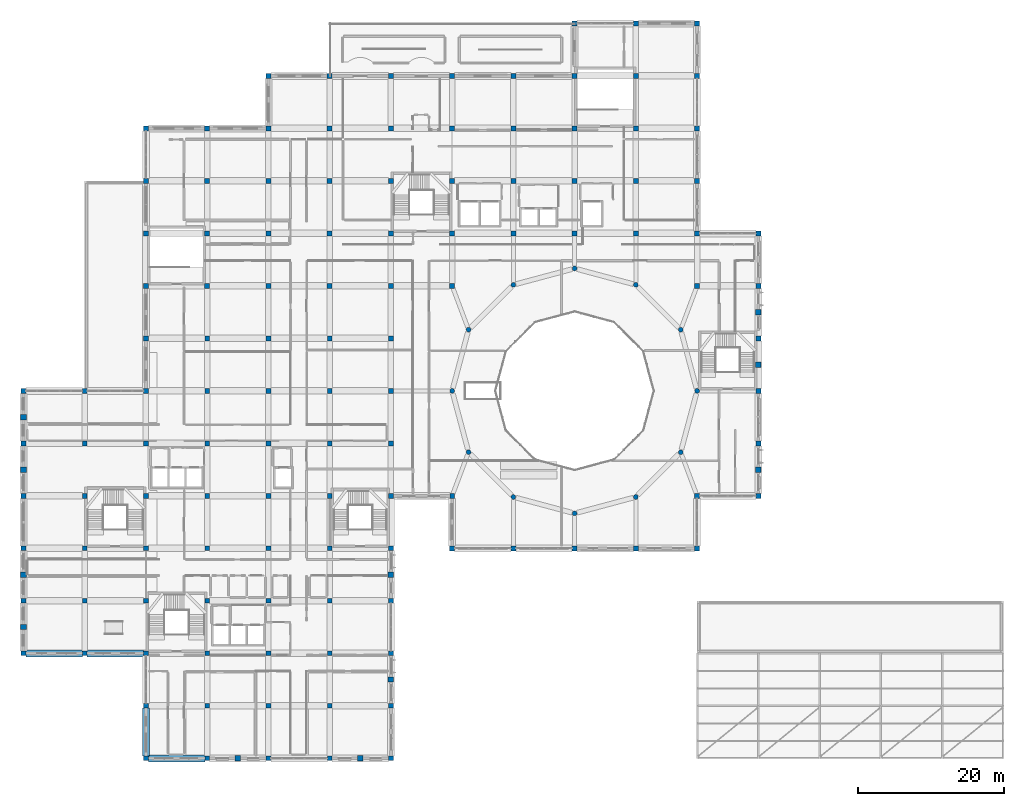
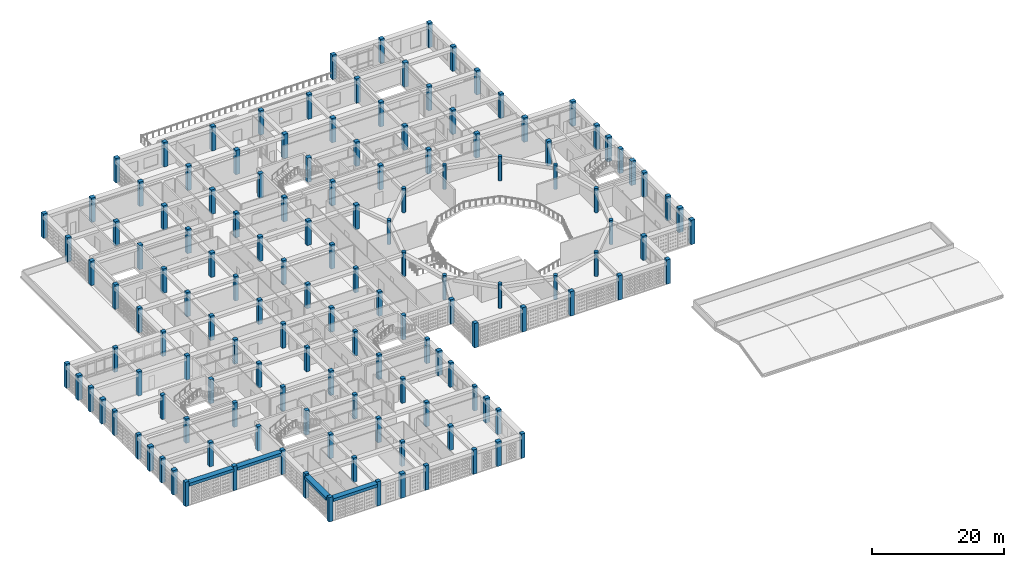
# One storey, part 1 of 79: 141 columns, 4 beams.
"""IFC4 building model written with IfcOpenShell, lengths in metres."""

from ifc_helpers import new_model, si_unit, derived_unit, direction, frame, origin, origin_2d, place, context, subcontext, project, spatial, rectangle, circle, extrude, material, material_profile, profile_set, type_object, element, save


model = new_model("IFC4")

# Units and contexts
model_context = context("Model", 3, precision=1e-05, world=origin(), true_north=direction((0.0, 1.0)))
body_context = subcontext(model_context, "Body", "Model", "MODEL_VIEW")
ifc_project = project(units=[si_unit("LENGTHUNIT", "METRE"), si_unit("AREAUNIT", "SQUARE_METRE"), si_unit("VOLUMEUNIT", "CUBIC_METRE"), si_unit("PLANEANGLEUNIT", "RADIAN"), si_unit("MASSUNIT", "GRAM", prefix="KILO"), derived_unit("THERMALTRANSMITTANCEUNIT", [(si_unit("POWERUNIT", "WATT"), 1), (si_unit("LENGTHUNIT", "METRE"), -2), (si_unit("THERMODYNAMICTEMPERATUREUNIT", "KELVIN"), -1)])], contexts=[model_context])

# Site, building, storey
site_placement = place(None, origin())
site = spatial("IfcSite", under=ifc_project, at=site_placement, CompositionType="ELEMENT")
building_placement = place(site_placement, origin())
building = spatial("IfcBuilding", under=site, at=building_placement, Name="Veybourne Emporium", CompositionType="ELEMENT")
storey_placement = place(building_placement, frame((0.0, 0.0, 18.89990234375)))
storey = spatial("IfcBuildingStorey", under=building, at=storey_placement, Name="L04", CompositionType="ELEMENT", Elevation=18.89990234375)

# Columns
ifc_material_1 = material(Name="Concrete C40/50", Category="concrete")
ifc_material_profile_1 = material_profile(ifc_material_1, rectangle(XDim=0.699951171875, YDim=0.699951171875, at=origin_2d()), Name="RC 700x700")
ifc_profile_set_1 = profile_set([ifc_material_profile_1], Name="Concrete C40/50")
column_type_1 = type_object("IfcColumnType", Name="Col_C-04", PredefinedType="COLUMN", material=ifc_profile_set_1)
for number, where, z_axis, x_axis, name in (
    (1, (16.800048828125, 64.800048828125, 0.0), (0.0, 0.0, 1.0), (1.0, 0.0, 0.0), "Column C-04 L04 (2,9)"),
    (2, (16.800048828125, 72.0, 0.0), (0.0, 0.0, 1.0), (1.0, 0.0, 0.0), "Column C-04 L04 (2,10)"),
    (3, (16.800048828125, 79.199951171875, 0.0), (0.0, 0.0, 1.0), (1.0, 0.0, 0.0), "Column C-04 L04 (2,11)"),
    (4, (16.800048828125, 86.39990234375, 0.0), (0.0, 0.0, 1.0), (1.0, 0.0, 0.0), "Column C-04 L04 (2,12)"),
    (5, (25.199951171875, 64.800048828125, 0.0), (0.0, 0.0, 1.0), (1.0, 0.0, 0.0), "Column C-04 L04 (3,9)"),
    (6, (25.199951171875, 72.0, 0.0), (0.0, 0.0, 1.0), (1.0, 0.0, 0.0), "Column C-04 L04 (3,10)"),
    (7, (25.199951171875, 79.199951171875, 0.0), (0.0, 0.0, 1.0), (1.0, 0.0, 0.0), "Column C-04 L04 (3,11)"),
    (8, (25.199951171875, 86.39990234375, 0.0), (0.0, 0.0, 1.0), (1.0, 0.0, 0.0), "Column C-04 L04 (3,12)"),
    (9, (33.60009765625, 64.800048828125, 0.0), (0.0, 0.0, 1.0), (1.0, 0.0, 0.0), "Column C-04 L04 (4,9)"),
    (10, (33.60009765625, 72.0, 0.0), (0.0, 0.0, 1.0), (1.0, 0.0, 0.0), "Column C-04 L04 (4,10)"),
    (11, (33.60009765625, 79.199951171875, 0.0), (0.0, 0.0, 1.0), (1.0, 0.0, 0.0), "Column C-04 L04 (4,11)"),
    (12, (33.60009765625, 86.39990234375, 0.0), (0.0, 0.0, 1.0), (1.0, 0.0, 0.0), "Column C-04 L04 (4,12)"),
    (13, (33.60009765625, 93.60009765625, 0.0), (0.0, 0.0, 1.0), (1.0, 0.0, 0.0), "Column C-04 L04 (4,13)"),
    (14, (42.0, 64.800048828125, 0.0), (0.0, 0.0, 1.0), (1.0, 0.0, 0.0), "Column C-04 L04 (5,9)"),
    (15, (42.0, 72.0, 0.0), (0.0, 0.0, 1.0), (1.0, 0.0, 0.0), "Column C-04 L04 (5,10)"),
    (16, (42.0, 79.199951171875, 0.0), (0.0, 0.0, 1.0), (1.0, 0.0, 0.0), "Column C-04 L04 (5,11)"),
    (17, (42.0, 86.39990234375, 0.0), (0.0, 0.0, 1.0), (1.0, 0.0, 0.0), "Column C-04 L04 (5,12)"),
    (18, (42.0, 93.60009765625, 0.0), (0.0, 0.0, 1.0), (1.0, 0.0, 0.0), "Column C-04 L04 (5,13)"),
    (19, (50.39990234375, 64.800048828125, 0.0), (0.0, 0.0, 1.0), (1.0, 0.0, 0.0), "Column C-04 L04 (6,9)"),
    (20, (50.39990234375, 72.0, 0.0), (0.0, 0.0, 1.0), (1.0, 0.0, 0.0), "Column C-04 L04 (6,10)"),
    (21, (50.39990234375, 79.199951171875, 0.0), (0.0, 0.0, 1.0), (1.0, 0.0, 0.0), "Column C-04 L04 (6,11)"),
    (22, (50.39990234375, 86.39990234375, 0.0), (0.0, 0.0, 1.0), (1.0, 0.0, 0.0), "Column C-04 L04 (6,12)"),
    (23, (50.39990234375, 93.60009765625, 0.0), (0.0, 0.0, 1.0), (1.0, 0.0, 0.0), "Column C-04 L04 (6,13)"),
    (24, (58.800048828125, 28.800048828125, 0.0), (0.0, 0.0, 1.0), (1.0, 0.0, 0.0), "Column C-04 L04 (7,4)"),
    (25, (58.800048828125, 64.800048828125, 0.0), (0.0, 0.0, 1.0), (1.0, 0.0, 0.0), "Column C-04 L04 (7,9)"),
    (26, (58.800048828125, 72.0, 0.0), (0.0, 0.0, 1.0), (1.0, 0.0, 0.0), "Column C-04 L04 (7,10)"),
    (27, (58.800048828125, 79.199951171875, 0.0), (0.0, 0.0, 1.0), (1.0, 0.0, 0.0), "Column C-04 L04 (7,11)"),
    (28, (58.800048828125, 86.39990234375, 0.0), (0.0, 0.0, 1.0), (1.0, 0.0, 0.0), "Column C-04 L04 (7,12)"),
    (29, (58.800048828125, 93.60009765625, 0.0), (0.0, 0.0, 1.0), (1.0, 0.0, 0.0), "Column C-04 L04 (7,13)"),
    (30, (67.199951171875, 28.800048828125, 0.0), (0.0, 0.0, 1.0), (1.0, 0.0, 0.0), "Column C-04 L04 (8,4)"),
    (31, (67.199951171875, 72.0, 0.0), (0.0, 0.0, 1.0), (1.0, 0.0, 0.0), "Column C-04 L04 (8,10)"),
    (32, (67.199951171875, 79.199951171875, 0.0), (0.0, 0.0, 1.0), (1.0, 0.0, 0.0), "Column C-04 L04 (8,11)"),
    (33, (67.199951171875, 86.39990234375, 0.0), (0.0, 0.0, 1.0), (1.0, 0.0, 0.0), "Column C-04 L04 (8,12)"),
    (34, (67.199951171875, 93.60009765625, 0.0), (0.0, 0.0, 1.0), (1.0, 0.0, 0.0), "Column C-04 L04 (8,13)"),
    (35, (75.60009765625, 28.800048828125, 0.0), (0.0, 0.0, 1.0), (1.0, 0.0, 0.0), "Column C-04 L04 (9,4)"),
    (36, (75.60009765625, 72.0, 0.0), (0.0, 0.0, 1.0), (1.0, 0.0, 0.0), "Column C-04 L04 (9,10)"),
    (37, (75.60009765625, 79.199951171875, 0.0), (0.0, 0.0, 1.0), (1.0, 0.0, 0.0), "Column C-04 L04 (9,11)"),
    (38, (75.60009765625, 86.39990234375, 0.0), (0.0, 0.0, 1.0), (1.0, 0.0, 0.0), "Column C-04 L04 (9,12)"),
    (39, (75.60009765625, 93.60009765625, 0.0), (0.0, 0.0, 1.0), (1.0, 0.0, 0.0), "Column C-04 L04 (9,13)"),
    (40, (75.60009765625, 100.800048828125, 0.0), (0.0, 0.0, 1.0), (1.0, 0.0, 0.0), "Column C-04 L04 (9,14)"),
    (41, (84.0, 28.800048828125, 0.0), (0.0, 0.0, 1.0), (1.0, 0.0, 0.0), "Column C-04 L04 (10,4)"),
    (42, (84.0, 72.0, 0.0), (0.0, 0.0, 1.0), (1.0, 0.0, 0.0), "Column C-04 L04 (10,10)"),
    (43, (84.0, 79.199951171875, 0.0), (0.0, 0.0, 1.0), (1.0, 0.0, 0.0), "Column C-04 L04 (10,11)"),
    (44, (84.0, 86.39990234375, 0.0), (0.0, 0.0, 1.0), (1.0, 0.0, 0.0), "Column C-04 L04 (10,12)"),
    (45, (84.0, 93.60009765625, 0.0), (0.0, 0.0, 1.0), (1.0, 0.0, 0.0), "Column C-04 L04 (10,13)"),
    (46, (84.0, 100.800048828125, 0.0), (0.0, 0.0, 1.0), (1.0, 0.0, 0.0), "Column C-04 L04 (10,14)"),
    (47, (92.39990234375, 28.800048828125, 0.0), (0.0, 0.0, 1.0), (1.0, 0.0, 0.0), "Column C-04 L04 (11,4)"),
    (48, (92.39990234375, 36.0, 0.0), (0.0, 0.0, 1.0), (1.0, 0.0, 0.0), "Column C-04 L04 (11,5)"),
    (49, (92.39990234375, 64.800048828125, 0.0), (0.0, 0.0, 1.0), (1.0, 0.0, 0.0), "Column C-04 L04 (11,9)"),
    (50, (92.39990234375, 72.0, 0.0), (0.0, 0.0, 1.0), (1.0, 0.0, 0.0), "Column C-04 L04 (11,10)"),
    (51, (92.39990234375, 79.199951171875, 0.0), (0.0, 0.0, 1.0), (1.0, 0.0, 0.0), "Column C-04 L04 (11,11)"),
    (52, (92.39990234375, 86.39990234375, 0.0), (0.0, 0.0, 1.0), (1.0, 0.0, 0.0), "Column C-04 L04 (11,12)"),
    (53, (92.39990234375, 93.60009765625, 0.0), (0.0, 0.0, 1.0), (1.0, 0.0, 0.0), "Column C-04 L04 (11,13)"),
    (54, (92.39990234375, 100.800048828125, 0.0), (0.0, 0.0, 1.0), (1.0, 0.0, 0.0), "Column C-04 L04 (11,14)"),
    (55, (100.800048828125, 36.0, 0.0), (0.0, 0.0, 1.0), (1.0, 0.0, 0.0), "Column C-04 L04 (12,5)"),
    (56, (100.800048828125, 43.199951171875, 0.0), (0.0, 0.0, 1.0), (1.0, 0.0, 0.0), "Column C-04 L04 (12,6)"),
    (57, (100.800048828125, 50.39990234375, 0.0), (0.0, 0.0, 1.0), (1.0, 0.0, 0.0), "Column C-04 L04 (12,7)"),
    (58, (100.800048828125, 57.60009765625, 0.0), (0.0, 0.0, 1.0), (1.0, 0.0, 0.0), "Column C-04 L04 (12,8)"),
    (59, (100.800048828125, 64.800048828125, 0.0), (0.0, 0.0, 1.0), (1.0, 0.0, 0.0), "Column C-04 L04 (12,9)"),
    (60, (100.800048828125, 72.0, 0.0), (0.0, 0.0, 1.0), (1.0, 0.0, 0.0), "Column C-04 L04 (12,10)"),
):
    element("IfcColumn", number, at=place(storey_placement, frame(where, z_axis=z_axis, x_axis=x_axis)), inside=storey, type_object=column_type_1, Name=name, PredefinedType="COLUMN", context=body_context, shape_type="SweptSolid", body=[
        extrude(rectangle(XDim=0.699951171875, YDim=0.699951171875, at=origin_2d()), origin(), (0.0, 0.0, 1.0), 4.5),
    ])
ifc_material_profile_2 = material_profile(ifc_material_1, rectangle(XDim=0.64990234375, YDim=0.64990234375, at=origin_2d()), Name="RC 650x650")
ifc_profile_set_2 = profile_set([ifc_material_profile_2], Name="Concrete C40/50")
column_type_2 = type_object("IfcColumnType", Name="Col_C-05", PredefinedType="COLUMN", material=ifc_profile_set_2)
for number, where, z_axis, x_axis, name in (
    (61, (8.39990234375, 14.39990234375, 0.0), (0.0, 0.0, 1.0), (1.0, 0.0, 0.0), "Column C-05 L04 (1,2)"),
    (62, (8.39990234375, 21.60009765625, 0.0), (0.0, 0.0, 1.0), (1.0, 0.0, 0.0), "Column C-05 L04 (1,3)"),
    (63, (8.39990234375, 28.800048828125, 0.0), (0.0, 0.0, 1.0), (1.0, 0.0, 0.0), "Column C-05 L04 (1,4)"),
    (64, (8.39990234375, 36.0, 0.0), (0.0, 0.0, 1.0), (1.0, 0.0, 0.0), "Column C-05 L04 (1,5)"),
    (65, (8.39990234375, 43.199951171875, 0.0), (0.0, 0.0, 1.0), (1.0, 0.0, 0.0), "Column C-05 L04 (1,6)"),
    (66, (8.39990234375, 50.39990234375, 0.0), (0.0, 0.0, 1.0), (1.0, 0.0, 0.0), "Column C-05 L04 (1,7)"),
    (67, (16.800048828125, 7.199951171875, 0.0), (0.0, 0.0, 1.0), (1.0, 0.0, 0.0), "Column C-05 L04 (2,1)"),
    (68, (16.800048828125, 14.39990234375, 0.0), (0.0, 0.0, 1.0), (1.0, 0.0, 0.0), "Column C-05 L04 (2,2)"),
    (69, (16.800048828125, 21.60009765625, 0.0), (0.0, 0.0, 1.0), (1.0, 0.0, 0.0), "Column C-05 L04 (2,3)"),
    (70, (16.800048828125, 28.800048828125, 0.0), (0.0, 0.0, 1.0), (1.0, 0.0, 0.0), "Column C-05 L04 (2,4)"),
    (71, (16.800048828125, 36.0, 0.0), (0.0, 0.0, 1.0), (1.0, 0.0, 0.0), "Column C-05 L04 (2,5)"),
    (72, (16.800048828125, 43.199951171875, 0.0), (0.0, 0.0, 1.0), (1.0, 0.0, 0.0), "Column C-05 L04 (2,6)"),
    (73, (16.800048828125, 50.39990234375, 0.0), (0.0, 0.0, 1.0), (1.0, 0.0, 0.0), "Column C-05 L04 (2,7)"),
    (74, (16.800048828125, 57.60009765625, 0.0), (0.0, 0.0, 1.0), (1.0, 0.0, 0.0), "Column C-05 L04 (2,8)"),
    (75, (25.199951171875, 7.199951171875, 0.0), (0.0, 0.0, 1.0), (1.0, 0.0, 0.0), "Column C-05 L04 (3,1)"),
    (76, (25.199951171875, 14.39990234375, 0.0), (0.0, 0.0, 1.0), (1.0, 0.0, 0.0), "Column C-05 L04 (3,2)"),
    (77, (25.199951171875, 21.60009765625, 0.0), (0.0, 0.0, 1.0), (1.0, 0.0, 0.0), "Column C-05 L04 (3,3)"),
    (78, (25.199951171875, 28.800048828125, 0.0), (0.0, 0.0, 1.0), (1.0, 0.0, 0.0), "Column C-05 L04 (3,4)"),
    (79, (25.199951171875, 36.0, 0.0), (0.0, 0.0, 1.0), (1.0, 0.0, 0.0), "Column C-05 L04 (3,5)"),
    (80, (25.199951171875, 43.199951171875, 0.0), (0.0, 0.0, 1.0), (1.0, 0.0, 0.0), "Column C-05 L04 (3,6)"),
    (81, (25.199951171875, 50.39990234375, 0.0), (0.0, 0.0, 1.0), (1.0, 0.0, 0.0), "Column C-05 L04 (3,7)"),
    (82, (25.199951171875, 57.60009765625, 0.0), (0.0, 0.0, 1.0), (1.0, 0.0, 0.0), "Column C-05 L04 (3,8)"),
    (83, (33.60009765625, 7.199951171875, 0.0), (0.0, 0.0, 1.0), (1.0, 0.0, 0.0), "Column C-05 L04 (4,1)"),
    (84, (33.60009765625, 14.39990234375, 0.0), (0.0, 0.0, 1.0), (1.0, 0.0, 0.0), "Column C-05 L04 (4,2)"),
    (85, (33.60009765625, 21.60009765625, 0.0), (0.0, 0.0, 1.0), (1.0, 0.0, 0.0), "Column C-05 L04 (4,3)"),
    (86, (33.60009765625, 28.800048828125, 0.0), (0.0, 0.0, 1.0), (1.0, 0.0, 0.0), "Column C-05 L04 (4,4)"),
    (87, (33.60009765625, 36.0, 0.0), (0.0, 0.0, 1.0), (1.0, 0.0, 0.0), "Column C-05 L04 (4,5)"),
    (88, (33.60009765625, 43.199951171875, 0.0), (0.0, 0.0, 1.0), (1.0, 0.0, 0.0), "Column C-05 L04 (4,6)"),
    (89, (33.60009765625, 50.39990234375, 0.0), (0.0, 0.0, 1.0), (1.0, 0.0, 0.0), "Column C-05 L04 (4,7)"),
    (90, (33.60009765625, 57.60009765625, 0.0), (0.0, 0.0, 1.0), (1.0, 0.0, 0.0), "Column C-05 L04 (4,8)"),
    (91, (42.0, 7.199951171875, 0.0), (0.0, 0.0, 1.0), (1.0, 0.0, 0.0), "Column C-05 L04 (5,1)"),
    (92, (42.0, 14.39990234375, 0.0), (0.0, 0.0, 1.0), (1.0, 0.0, 0.0), "Column C-05 L04 (5,2)"),
    (93, (42.0, 21.60009765625, 0.0), (0.0, 0.0, 1.0), (1.0, 0.0, 0.0), "Column C-05 L04 (5,3)"),
    (94, (42.0, 28.800048828125, 0.0), (0.0, 0.0, 1.0), (1.0, 0.0, 0.0), "Column C-05 L04 (5,4)"),
    (95, (42.0, 36.0, 0.0), (0.0, 0.0, 1.0), (1.0, 0.0, 0.0), "Column C-05 L04 (5,5)"),
    (96, (42.0, 43.199951171875, 0.0), (0.0, 0.0, 1.0), (1.0, 0.0, 0.0), "Column C-05 L04 (5,6)"),
    (97, (42.0, 50.39990234375, 0.0), (0.0, 0.0, 1.0), (1.0, 0.0, 0.0), "Column C-05 L04 (5,7)"),
    (98, (42.0, 57.60009765625, 0.0), (0.0, 0.0, 1.0), (1.0, 0.0, 0.0), "Column C-05 L04 (5,8)"),
    (99, (50.39990234375, 7.199951171875, 0.0), (0.0, 0.0, 1.0), (1.0, 0.0, 0.0), "Column C-05 L04 (6,1)"),
    (100, (50.39990234375, 14.39990234375, 0.0), (0.0, 0.0, 1.0), (1.0, 0.0, 0.0), "Column C-05 L04 (6,2)"),
    (101, (50.39990234375, 21.60009765625, 0.0), (0.0, 0.0, 1.0), (1.0, 0.0, 0.0), "Column C-05 L04 (6,3)"),
    (102, (50.39990234375, 28.800048828125, 0.0), (0.0, 0.0, 1.0), (1.0, 0.0, 0.0), "Column C-05 L04 (6,4)"),
    (103, (50.39990234375, 36.0, 0.0), (0.0, 0.0, 1.0), (1.0, 0.0, 0.0), "Column C-05 L04 (6,5)"),
    (104, (50.39990234375, 43.199951171875, 0.0), (0.0, 0.0, 1.0), (1.0, 0.0, 0.0), "Column C-05 L04 (6,6)"),
    (105, (50.39990234375, 50.39990234375, 0.0), (0.0, 0.0, 1.0), (1.0, 0.0, 0.0), "Column C-05 L04 (6,7)"),
    (106, (50.39990234375, 57.60009765625, 0.0), (0.0, 0.0, 1.0), (1.0, 0.0, 0.0), "Column C-05 L04 (6,8)"),
    (107, (58.800048828125, 36.0, 0.0), (0.0, 0.0, 1.0), (1.0, 0.0, 0.0), "Column C-05 L04 (7,5)"),
):
    element("IfcColumn", number, at=place(storey_placement, frame(where, z_axis=z_axis, x_axis=x_axis)), inside=storey, type_object=column_type_2, Name=name, PredefinedType="COLUMN", context=body_context, shape_type="SweptSolid", body=[
        extrude(rectangle(XDim=0.64990234375, YDim=0.64990234375, at=origin_2d()), origin(), (0.0, 0.0, 1.0), 4.5),
    ])
ifc_material_profile_3 = material_profile(ifc_material_1, circle(Radius=0.324951171875, at=origin_2d()), Name="RC D650")
ifc_profile_set_3 = profile_set([ifc_material_profile_3], Name="Concrete C40/50")
column_type_3 = type_object("IfcColumnType", Name="Col_CD-03", PredefinedType="COLUMN", material=ifc_profile_set_3)
for number, where, z_axis, x_axis, name in (
    (108, (92.39990234375, 50.39990234375, 0.0), (0.0, 0.0, 1.0), (1.0, 0.0, 0.0), "Atrium drum column CD-03 L04-01"),
    (109, (90.149169921875, 58.800048828125, 0.0), (0.0, 0.0, 1.0), (1.0, 0.0, 0.0), "Atrium drum column CD-03 L04-02"),
    (110, (84.0, 64.94921875, 0.0), (0.0, 0.0, 1.0), (1.0, 0.0, 0.0), "Atrium drum column CD-03 L04-03"),
    (111, (75.60009765625, 67.199951171875, 0.0), (0.0, 0.0, 1.0), (1.0, 0.0, 0.0), "Atrium drum column CD-03 L04-04"),
    (112, (67.199951171875, 64.94921875, 0.0), (0.0, 0.0, 1.0), (1.0, 0.0, 0.0), "Atrium drum column CD-03 L04-05"),
    (113, (61.05078125, 58.800048828125, 0.0), (0.0, 0.0, 1.0), (1.0, 0.0, 0.0), "Atrium drum column CD-03 L04-06"),
    (114, (58.800048828125, 50.39990234375, 0.0), (0.0, 0.0, 1.0), (1.0, 0.0, 0.0), "Atrium drum column CD-03 L04-07"),
    (115, (61.05078125, 42.0, 0.0), (0.0, 0.0, 1.0), (1.0, 0.0, 0.0), "Atrium drum column CD-03 L04-08"),
    (116, (67.199951171875, 35.850830078125, 0.0), (0.0, 0.0, 1.0), (1.0, 0.0, 0.0), "Atrium drum column CD-03 L04-09"),
    (117, (75.60009765625, 33.60009765625, 0.0), (0.0, 0.0, 1.0), (1.0, 0.0, 0.0), "Atrium drum column CD-03 L04-10"),
    (118, (84.0, 35.850830078125, 0.0), (0.0, 0.0, 1.0), (1.0, 0.0, 0.0), "Atrium drum column CD-03 L04-11"),
    (119, (90.149169921875, 42.0, 0.0), (0.0, 0.0, 1.0), (1.0, 0.0, 0.0), "Atrium drum column CD-03 L04-12"),
):
    element("IfcColumn", number, at=place(storey_placement, frame(where, z_axis=z_axis, x_axis=x_axis)), inside=storey, type_object=column_type_3, Name=name, PredefinedType="COLUMN", context=body_context, shape_type="SweptSolid", body=[
        extrude(circle(Radius=0.324951171875, at=origin_2d()), origin(), (0.0, 0.0, 1.0), 4.5),
    ])
ifc_material_profile_4 = material_profile(ifc_material_1, rectangle(XDim=0.64990234375, YDim=0.64990234375, at=origin_2d()), Name="RC 650x650")
ifc_profile_set_4 = profile_set([ifc_material_profile_4], Name="Concrete C40/50")
column_type_4 = type_object("IfcColumnType", Name="Col_CE-05", PredefinedType="COLUMN", material=ifc_profile_set_4)
for number, where, z_axis, x_axis, name in (
    (120, (0.0, 14.39990234375, 0.0), (0.0, 0.0, 1.0), (1.0, 0.0, 0.0), "Column CE-05 L04 (0,2)"),
    (121, (0.0, 21.60009765625, 0.0), (0.0, 0.0, 1.0), (1.0, 0.0, 0.0), "Column CE-05 L04 (0,3)"),
    (122, (0.0, 28.800048828125, 0.0), (0.0, 0.0, 1.0), (1.0, 0.0, 0.0), "Column CE-05 L04 (0,4)"),
    (123, (0.0, 36.0, 0.0), (0.0, 0.0, 1.0), (1.0, 0.0, 0.0), "Column CE-05 L04 (0,5)"),
    (124, (0.0, 43.199951171875, 0.0), (0.0, 0.0, 1.0), (1.0, 0.0, 0.0), "Column CE-05 L04 (0,6)"),
    (125, (0.0, 50.39990234375, 0.0), (0.0, 0.0, 1.0), (1.0, 0.0, 0.0), "Column CE-05 L04 (0,7)"),
    (126, (16.800048828125, 0.0, 0.0), (0.0, 0.0, 1.0), (1.0, 0.0, 0.0), "Column CE-05 L04 (2,0)"),
    (127, (25.199951171875, 0.0, 0.0), (0.0, 0.0, 1.0), (1.0, 0.0, 0.0), "Column CE-05 L04 (3,0)"),
    (128, (33.60009765625, 0.0, 0.0), (0.0, 0.0, 1.0), (1.0, 0.0, 0.0), "Column CE-05 L04 (4,0)"),
    (129, (42.0, 0.0, 0.0), (0.0, 0.0, 1.0), (1.0, 0.0, 0.0), "Column CE-05 L04 (5,0)"),
    (130, (50.39990234375, 0.0, 0.0), (0.0, 0.0, 1.0), (1.0, 0.0, 0.0), "Column CE-05 L04 (6,0)"),
):
    element("IfcColumn", number, at=place(storey_placement, frame(where, z_axis=z_axis, x_axis=x_axis)), inside=storey, type_object=column_type_4, Name=name, PredefinedType="COLUMN", context=body_context, shape_type="SweptSolid", body=[
        extrude(rectangle(XDim=0.64990234375, YDim=0.64990234375, at=origin_2d()), origin(), (0.0, 0.0, 1.0), 4.5),
    ])
ifc_material_profile_5 = material_profile(ifc_material_1, rectangle(XDim=0.780029296875, YDim=0.719970703125, at=origin_2d()), Name="RC 780x720")
ifc_profile_set_5 = profile_set([ifc_material_profile_5], Name="Concrete C40/50")
column_type_5 = type_object("IfcColumnType", Name="Col_CE-11", PredefinedType="PILASTER", material=ifc_profile_set_5)
for number, where, z_axis, x_axis, name in (
    (131, (0.0, 18.0, 0.0), (0.0, 0.0, 1.0), (1.0, 0.0, 0.0), "Fluted stone pilaster CE-11 L04-01"),
    (132, (0.0, 25.199951171875, 0.0), (0.0, 0.0, 1.0), (1.0, 0.0, 0.0), "Fluted stone pilaster CE-11 L04-02"),
    (133, (0.0, 39.60009765625, 0.0), (0.0, 0.0, 1.0), (1.0, 0.0, 0.0), "Fluted stone pilaster CE-11 L04-03"),
    (134, (0.0, 46.800048828125, 0.0), (0.0, 0.0, 1.0), (1.0, 0.0, 0.0), "Fluted stone pilaster CE-11 L04-04"),
    (135, (29.39990234375, 0.0, 0.0), (0.0, 0.0, 1.0), (1.0, 0.0, 0.0), "Fluted stone pilaster CE-11 L04-13"),
    (136, (46.199951171875, 0.0, 0.0), (0.0, 0.0, 1.0), (1.0, 0.0, 0.0), "Fluted stone pilaster CE-11 L04-14"),
    (137, (50.39990234375, 10.800048828125, 0.0), (0.0, 0.0, 1.0), (1.0, 0.0, 0.0), "Fluted stone pilaster CE-11 L04-18"),
    (138, (50.39990234375, 25.199951171875, 0.0), (0.0, 0.0, 1.0), (1.0, 0.0, 0.0), "Fluted stone pilaster CE-11 L04-19"),
    (139, (100.800048828125, 39.60009765625, 0.0), (0.0, 0.0, 1.0), (1.0, 0.0, 0.0), "Fluted stone pilaster CE-11 L04-20"),
    (140, (100.800048828125, 54.0, 0.0), (0.0, 0.0, 1.0), (1.0, 0.0, 0.0), "Fluted stone pilaster CE-11 L04-21"),
    (141, (100.800048828125, 61.199951171875, 0.0), (0.0, 0.0, 1.0), (1.0, 0.0, 0.0), "Fluted stone pilaster CE-11 L04-22"),
):
    element("IfcColumn", number, at=place(storey_placement, frame(where, z_axis=z_axis, x_axis=x_axis)), inside=storey, type_object=column_type_5, Name=name, PredefinedType="PILASTER", context=body_context, shape_type="SweptSolid", body=[
        extrude(rectangle(XDim=0.780029296875, YDim=0.719970703125, at=origin_2d()), origin(), (0.0, 0.0, 1.0), 4.5),
    ])

# Beams
ifc_material_2 = material(Name="Concrete C32/40", Category="concrete")
ifc_material_profile_6 = material_profile(ifc_material_2, rectangle(XDim=0.949951171875, YDim=0.550048828125, at=origin_2d()), Name="RC 950x550")
ifc_profile_set_6 = profile_set([ifc_material_profile_6], Name="Concrete C32/40")
beam_type = type_object("IfcBeamType", Name="RCBeam_EB-01", PredefinedType="SPANDREL", material=ifc_profile_set_6)
for number, where, z_axis, x_axis, name in (
    (142, (0.324951171875, 14.39990234375, 3.905029296875), (1.0, 0.0, 0.0), (0.0, 1.0, 0.0), "L04 X-grid beam EB-01 (0,2)"),
    (143, (8.72509765625, 14.39990234375, 3.905029296875), (1.0, 0.0, 0.0), (0.0, 1.0, 0.0), "L04 X-grid beam EB-01 (1,2)"),
    (144, (17.125, 0.0, 3.905029296875), (1.0, 0.0, 0.0), (0.0, 1.0, 0.0), "L04 X-grid beam EB-01 (2,0)"),
):
    element("IfcBeam", number, at=place(storey_placement, frame(where, z_axis=z_axis, x_axis=x_axis)), inside=storey, type_object=beam_type, Name=name, PredefinedType="SPANDREL", context=body_context, shape_type="SweptSolid", body=[
        extrude(rectangle(XDim=0.949951171875, YDim=0.550048828125, at=origin_2d()), origin(), (0.0, 0.0, 1.0), 7.75),
    ])
beam_placement = place(storey_placement, frame((16.800048828125, 0.324951171875, 3.905029296875), z_axis=(0.0, 1.0, 0.0), x_axis=(-1.0, 0.0, 0.0)))
element("IfcBeam", 145, at=beam_placement, inside=storey, type_object=beam_type, Name="L04 Y-grid beam EB-01 (2,0)", PredefinedType="SPANDREL", context=body_context, shape_type="SweptSolid", body=[
    extrude(rectangle(XDim=0.949951171875, YDim=0.550048828125, at=origin_2d()), origin(), (0.0, 0.0, 1.0), 6.550048828125),
])

save(model, "model.ifc")
